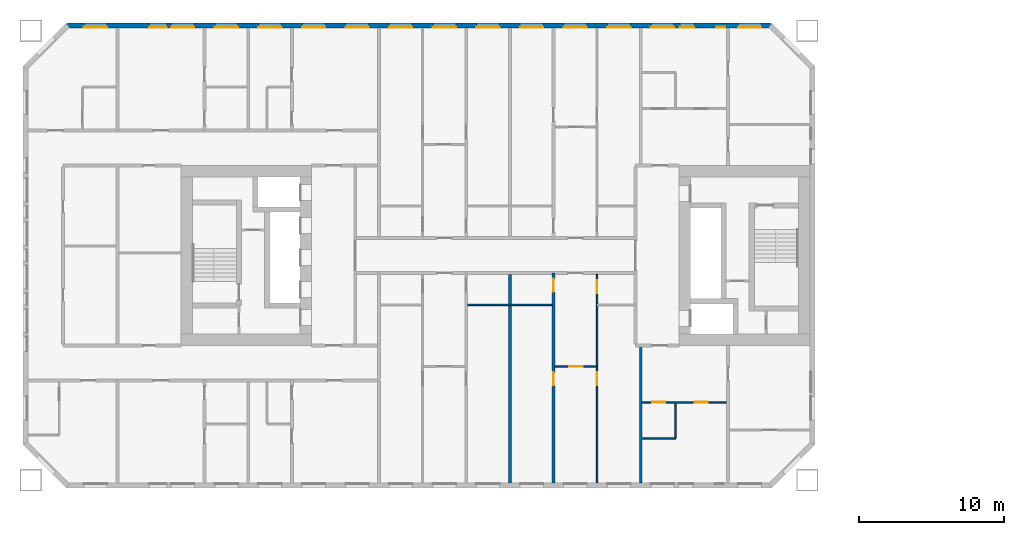
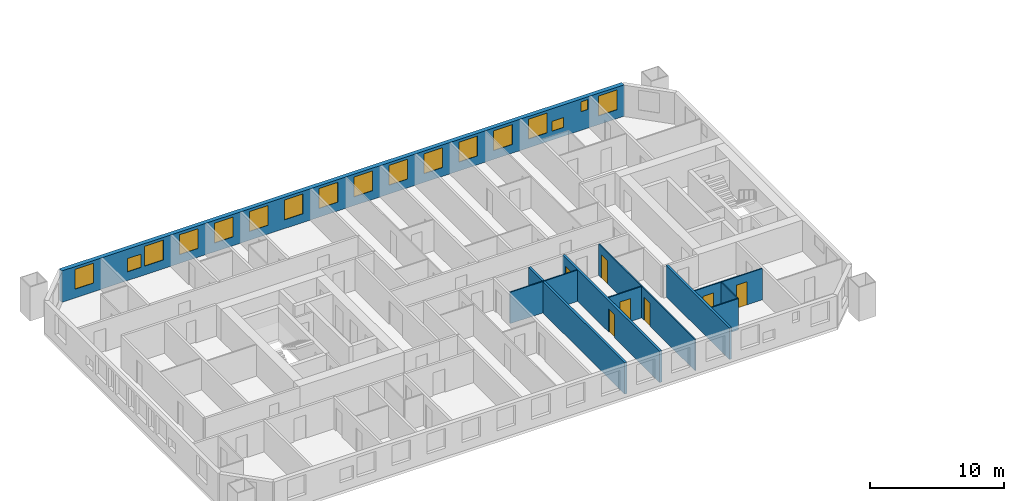
# One storey, part 6 of 17: 17 windows, 10 walls, 7 doors, 24 openings.
"""IFC4 building model written with IfcOpenShell, lengths in metres."""

from ifc_helpers import new_model, si_unit, direction, frame, frame_2d, origin, place, context, subcontext, project, spatial, rectangle, extrude, material, layer, layer_set, type_object, element, fill, save


model = new_model("IFC4")

# Units and contexts
model_context = context("Model", 3, precision=1e-05, world=origin(), true_north=direction((0.0, 1.0)))
body_context = subcontext(model_context, "Body", "Model", "MODEL_VIEW")
ifc_project = project(units=[si_unit("LENGTHUNIT", "METRE"), si_unit("AREAUNIT", "SQUARE_METRE"), si_unit("VOLUMEUNIT", "CUBIC_METRE"), si_unit("PLANEANGLEUNIT", "RADIAN"), si_unit("MASSUNIT", "GRAM", prefix="KILO")], contexts=[model_context])

# Site, building, storey
site_placement = place(None, origin())
site = spatial("IfcSite", under=ifc_project, at=site_placement, CompositionType="ELEMENT")
building_placement = place(site_placement, origin())
building = spatial("IfcBuilding", under=site, at=building_placement, Name="Tuart Gate Housing", CompositionType="ELEMENT")
storey_placement = place(building_placement, frame((0.0, 0.0, 47.39990234375)))
storey = spatial("IfcBuildingStorey", under=building, at=storey_placement, Name="L12", CompositionType="ELEMENT", Elevation=47.39990234375)

# Wall, openings, windows
ifc_material_1 = material(Name="Brick", Category="masonry")
ifc_layer_1 = layer(ifc_material_1, 0.360107421875)
ifc_layer_set_1 = layer_set([ifc_layer_1], Name="Brick pier and spandrel wall 360")
wall_type_1 = type_object("IfcWallType", Name="Brick pier and spandrel wall 360", PredefinedType="STANDARD", material=ifc_layer_set_1)
wall_1_placement = place(storey_placement, frame((72.92529296875, 85.820068359375, 0.0), z_axis=(0.0, 0.0, 1.0), x_axis=(-1.0, 0.0, 0.0)))
wall_1 = element("IfcWall", 1, at=wall_1_placement, inside=storey, type_object=wall_type_1, Name="External wall A-N L12", PredefinedType="STANDARD", context=body_context, shape_type="SweptSolid", body=[
    extrude(rectangle(XDim=48.350830078125, YDim=0.360107421875, at=frame_2d((24.17529296875, 0.0))), origin(), (0.0, 0.0, 1.0), 2.85009765625),
])
opening_1_placement = place(wall_1_placement, frame((0.62548828125, 0.0, 0.800048828125)))
opening_1 = element("IfcOpeningElement", 2, at=opening_1_placement, cuts=wall_1, Name="Opening W1", PredefinedType="OPENING", context=body_context, shape_type="SweptSolid", body=[
    extrude(rectangle(XDim=1.60009765625, YDim=1.800048828125, at=frame_2d((0.800048828125, 0.89990234375))), frame((0.0, 0.18994140625, 0.0), z_axis=(0.0, -1.0, 0.0), x_axis=(1.0, 0.0, 0.0)), (0.0, 0.0, 1.0), 0.380126953125),
])
opening_2_placement = place(wall_1_placement, frame((3.12548828125, 0.0, 1.699951171875)))
opening_2 = element("IfcOpeningElement", 3, at=opening_2_placement, cuts=wall_1, Name="Opening W1W", PredefinedType="OPENING", context=body_context, shape_type="SweptSolid", body=[
    extrude(rectangle(XDim=0.60009765625, YDim=0.89990234375, at=frame_2d((0.300048828125, 0.449951171875))), frame((0.0, 0.18994140625, 0.0), z_axis=(0.0, -1.0, 0.0), x_axis=(1.0, 0.0, 0.0)), (0.0, 0.0, 1.0), 0.380126953125),
])
opening_3_placement = place(wall_1_placement, frame((6.62548828125, 0.0, 0.800048828125)))
opening_3 = element("IfcOpeningElement", 4, at=opening_3_placement, cuts=wall_1, Name="Opening W1", PredefinedType="OPENING", context=body_context, shape_type="SweptSolid", body=[
    extrude(rectangle(XDim=1.60009765625, YDim=1.800048828125, at=frame_2d((0.800048828125, 0.89990234375))), frame((0.0, 0.18994140625, 0.0), z_axis=(0.0, -1.0, 0.0), x_axis=(1.0, 0.0, 0.0)), (0.0, 0.0, 1.0), 0.380126953125),
])
opening_4_placement = place(wall_1_placement, frame((9.62548828125, 0.0, 0.800048828125)))
opening_4 = element("IfcOpeningElement", 5, at=opening_4_placement, cuts=wall_1, Name="Opening W1", PredefinedType="OPENING", context=body_context, shape_type="SweptSolid", body=[
    extrude(rectangle(XDim=1.60009765625, YDim=1.800048828125, at=frame_2d((0.800048828125, 0.89990234375))), frame((0.0, 0.18994140625, 0.0), z_axis=(0.0, -1.0, 0.0), x_axis=(1.0, 0.0, 0.0)), (0.0, 0.0, 1.0), 0.380126953125),
])
opening_5_placement = place(wall_1_placement, frame((12.62548828125, 0.0, 0.800048828125)))
opening_5 = element("IfcOpeningElement", 6, at=opening_5_placement, cuts=wall_1, Name="Opening W1", PredefinedType="OPENING", context=body_context, shape_type="SweptSolid", body=[
    extrude(rectangle(XDim=1.60009765625, YDim=1.800048828125, at=frame_2d((0.800048828125, 0.89990234375))), frame((0.0, 0.18994140625, 0.0), z_axis=(0.0, -1.0, 0.0), x_axis=(1.0, 0.0, 0.0)), (0.0, 0.0, 1.0), 0.380126953125),
])
opening_6_placement = place(wall_1_placement, frame((15.62548828125, 0.0, 0.800048828125)))
opening_6 = element("IfcOpeningElement", 7, at=opening_6_placement, cuts=wall_1, Name="Opening W1", PredefinedType="OPENING", context=body_context, shape_type="SweptSolid", body=[
    extrude(rectangle(XDim=1.60009765625, YDim=1.800048828125, at=frame_2d((0.800048828125, 0.89990234375))), frame((0.0, 0.18994140625, 0.0), z_axis=(0.0, -1.0, 0.0), x_axis=(1.0, 0.0, 0.0)), (0.0, 0.0, 1.0), 0.380126953125),
])
opening_7_placement = place(wall_1_placement, frame((18.62548828125, 0.0, 0.800048828125)))
opening_7 = element("IfcOpeningElement", 8, at=opening_7_placement, cuts=wall_1, Name="Opening W1", PredefinedType="OPENING", context=body_context, shape_type="SweptSolid", body=[
    extrude(rectangle(XDim=1.60009765625, YDim=1.800048828125, at=frame_2d((0.800048828125, 0.89990234375))), frame((0.0, 0.18994140625, 0.0), z_axis=(0.0, -1.0, 0.0), x_axis=(1.0, 0.0, 0.0)), (0.0, 0.0, 1.0), 0.380126953125),
])
opening_8_placement = place(wall_1_placement, frame((21.62548828125, 0.0, 0.800048828125)))
opening_8 = element("IfcOpeningElement", 9, at=opening_8_placement, cuts=wall_1, Name="Opening W1", PredefinedType="OPENING", context=body_context, shape_type="SweptSolid", body=[
    extrude(rectangle(XDim=1.60009765625, YDim=1.800048828125, at=frame_2d((0.800048828125, 0.89990234375))), frame((0.0, 0.18994140625, 0.0), z_axis=(0.0, -1.0, 0.0), x_axis=(1.0, 0.0, 0.0)), (0.0, 0.0, 1.0), 0.380126953125),
])
opening_9_placement = place(wall_1_placement, frame((24.62548828125, 0.0, 0.800048828125)))
opening_9 = element("IfcOpeningElement", 10, at=opening_9_placement, cuts=wall_1, Name="Opening W1", PredefinedType="OPENING", context=body_context, shape_type="SweptSolid", body=[
    extrude(rectangle(XDim=1.60009765625, YDim=1.800048828125, at=frame_2d((0.800048828125, 0.89990234375))), frame((0.0, 0.18994140625, 0.0), z_axis=(0.0, -1.0, 0.0), x_axis=(1.0, 0.0, 0.0)), (0.0, 0.0, 1.0), 0.380126953125),
])
opening_10_placement = place(wall_1_placement, frame((27.62548828125, 0.0, 0.800048828125)))
opening_10 = element("IfcOpeningElement", 11, at=opening_10_placement, cuts=wall_1, Name="Opening W1", PredefinedType="OPENING", context=body_context, shape_type="SweptSolid", body=[
    extrude(rectangle(XDim=1.60009765625, YDim=1.800048828125, at=frame_2d((0.800048828125, 0.89990234375))), frame((0.0, 0.18994140625, 0.0), z_axis=(0.0, -1.0, 0.0), x_axis=(1.0, 0.0, 0.0)), (0.0, 0.0, 1.0), 0.380126953125),
])
opening_11_placement = place(wall_1_placement, frame((30.62548828125, 0.0, 0.800048828125)))
opening_11 = element("IfcOpeningElement", 12, at=opening_11_placement, cuts=wall_1, Name="Opening W1", PredefinedType="OPENING", context=body_context, shape_type="SweptSolid", body=[
    extrude(rectangle(XDim=1.60009765625, YDim=1.800048828125, at=frame_2d((0.800048828125, 0.89990234375))), frame((0.0, 0.18994140625, 0.0), z_axis=(0.0, -1.0, 0.0), x_axis=(1.0, 0.0, 0.0)), (0.0, 0.0, 1.0), 0.380126953125),
])
opening_12_placement = place(wall_1_placement, frame((33.62548828125, 0.0, 0.800048828125)))
opening_12 = element("IfcOpeningElement", 13, at=opening_12_placement, cuts=wall_1, Name="Opening W1", PredefinedType="OPENING", context=body_context, shape_type="SweptSolid", body=[
    extrude(rectangle(XDim=1.60009765625, YDim=1.800048828125, at=frame_2d((0.800048828125, 0.89990234375))), frame((0.0, 0.18994140625, 0.0), z_axis=(0.0, -1.0, 0.0), x_axis=(1.0, 0.0, 0.0)), (0.0, 0.0, 1.0), 0.380126953125),
])
opening_13_placement = place(wall_1_placement, frame((36.62548828125, 0.0, 0.800048828125)))
opening_13 = element("IfcOpeningElement", 14, at=opening_13_placement, cuts=wall_1, Name="Opening W1", PredefinedType="OPENING", context=body_context, shape_type="SweptSolid", body=[
    extrude(rectangle(XDim=1.60009765625, YDim=1.800048828125, at=frame_2d((0.800048828125, 0.89990234375))), frame((0.0, 0.18994140625, 0.0), z_axis=(0.0, -1.0, 0.0), x_axis=(1.0, 0.0, 0.0)), (0.0, 0.0, 1.0), 0.380126953125),
])
opening_14_placement = place(wall_1_placement, frame((39.62548828125, 0.0, 0.800048828125)))
opening_14 = element("IfcOpeningElement", 15, at=opening_14_placement, cuts=wall_1, Name="Opening W1", PredefinedType="OPENING", context=body_context, shape_type="SweptSolid", body=[
    extrude(rectangle(XDim=1.60009765625, YDim=1.800048828125, at=frame_2d((0.800048828125, 0.89990234375))), frame((0.0, 0.18994140625, 0.0), z_axis=(0.0, -1.0, 0.0), x_axis=(1.0, 0.0, 0.0)), (0.0, 0.0, 1.0), 0.380126953125),
])
opening_15_placement = place(wall_1_placement, frame((41.525390625, 0.0, 0.800048828125)))
opening_15 = element("IfcOpeningElement", 16, at=opening_15_placement, cuts=wall_1, Name="Opening W1N", PredefinedType="OPENING", context=body_context, shape_type="SweptSolid", body=[
    extrude(rectangle(XDim=1.199951171875, YDim=1.199951171875, at=frame_2d((0.60009765625, 0.60009765625))), frame((0.0, 0.18994140625, 0.0), z_axis=(0.0, -1.0, 0.0), x_axis=(1.0, 0.0, 0.0)), (0.0, 0.0, 1.0), 0.380126953125),
])
opening_16_placement = place(wall_1_placement, frame((45.62548828125, 0.0, 0.800048828125)))
opening_16 = element("IfcOpeningElement", 17, at=opening_16_placement, cuts=wall_1, Name="Opening W1", PredefinedType="OPENING", context=body_context, shape_type="SweptSolid", body=[
    extrude(rectangle(XDim=1.60009765625, YDim=1.800048828125, at=frame_2d((0.800048828125, 0.89990234375))), frame((0.0, 0.18994140625, 0.0), z_axis=(0.0, -1.0, 0.0), x_axis=(1.0, 0.0, 0.0)), (0.0, 0.0, 1.0), 0.380126953125),
])
opening_17_placement = place(wall_1_placement, frame((5.225341796875, 0.0, 0.800048828125)))
opening_17 = element("IfcOpeningElement", 18, at=opening_17_placement, cuts=wall_1, Name="Opening W1U", PredefinedType="OPENING", context=body_context, shape_type="SweptSolid", body=[
    extrude(rectangle(XDim=1.0, YDim=0.89990234375, at=frame_2d((0.5, 0.449951171875))), frame((0.0, 0.18994140625, 0.0), z_axis=(0.0, -1.0, 0.0), x_axis=(1.0, 0.0, 0.0)), (0.0, 0.0, 1.0), 0.380126953125),
])
ifc_material_2 = material(Name="Aluminium frame with clear glass", Category="aluminium")
window_type_1 = type_object("IfcWindowType", Name="Punched window 1000 x 900", PartitioningType="SINGLE_PANEL", PredefinedType="WINDOW", material=ifc_material_2)
window_1_placement = place(opening_17_placement, origin())
window_1 = element("IfcWindow", 19, at=window_1_placement, inside=storey, type_object=window_type_1, Name="Window W1U", OverallHeight=0.89990234375, OverallWidth=1.0, PartitioningType="SINGLE_PANEL", PredefinedType="WINDOW", context=body_context, shape_type="SweptSolid", body=[
    extrude(rectangle(XDim=1.0, YDim=0.89990234375, at=frame_2d((0.5, 0.449951171875))), frame((0.0, 0.150146484375, 0.0), z_axis=(0.0, -1.0, 0.0), x_axis=(1.0, 0.0, 0.0)), (0.0, 0.0, 1.0), 0.06005859375),
])
fill(opening_17, window_1)
ifc_material_3 = material(Name="Aluminium frame with clear glass", Category="aluminium")
window_type_2 = type_object("IfcWindowType", Name="Punched window 1200 x 1200", PartitioningType="SINGLE_PANEL", PredefinedType="WINDOW", material=ifc_material_3)
window_2_placement = place(opening_15_placement, origin())
window_2 = element("IfcWindow", 20, at=window_2_placement, inside=storey, type_object=window_type_2, Name="Window W1N", OverallHeight=1.199951171875, OverallWidth=1.199951171875, PartitioningType="SINGLE_PANEL", PredefinedType="WINDOW", context=body_context, shape_type="SweptSolid", body=[
    extrude(rectangle(XDim=1.199951171875, YDim=1.199951171875, at=frame_2d((0.60009765625, 0.60009765625))), frame((0.0, 0.150146484375, 0.0), z_axis=(0.0, -1.0, 0.0), x_axis=(1.0, 0.0, 0.0)), (0.0, 0.0, 1.0), 0.06005859375),
])
fill(opening_15, window_2)
ifc_material_4 = material(Name="Aluminium frame with clear glass", Category="aluminium")
window_type_3 = type_object("IfcWindowType", Name="Punched window 1600 x 1800", PartitioningType="SINGLE_PANEL", PredefinedType="WINDOW", material=ifc_material_4)
window_3_placement = place(opening_1_placement, origin())
window_3 = element("IfcWindow", 21, at=window_3_placement, inside=storey, type_object=window_type_3, Name="Window W1", OverallHeight=1.800048828125, OverallWidth=1.60009765625, PartitioningType="SINGLE_PANEL", PredefinedType="WINDOW", context=body_context, shape_type="SweptSolid", body=[
    extrude(rectangle(XDim=1.60009765625, YDim=1.800048828125, at=frame_2d((0.800048828125, 0.89990234375))), frame((0.0, 0.150146484375, 0.0), z_axis=(0.0, -1.0, 0.0), x_axis=(1.0, 0.0, 0.0)), (0.0, 0.0, 1.0), 0.06005859375),
])
fill(opening_1, window_3)
window_4_placement = place(opening_3_placement, origin())
window_4 = element("IfcWindow", 22, at=window_4_placement, inside=storey, type_object=window_type_3, Name="Window W1", OverallHeight=1.800048828125, OverallWidth=1.60009765625, PartitioningType="SINGLE_PANEL", PredefinedType="WINDOW", context=body_context, shape_type="SweptSolid", body=[
    extrude(rectangle(XDim=1.60009765625, YDim=1.800048828125, at=frame_2d((0.800048828125, 0.89990234375))), frame((0.0, 0.150146484375, 0.0), z_axis=(0.0, -1.0, 0.0), x_axis=(1.0, 0.0, 0.0)), (0.0, 0.0, 1.0), 0.06005859375),
])
fill(opening_3, window_4)
window_5_placement = place(opening_4_placement, origin())
window_5 = element("IfcWindow", 23, at=window_5_placement, inside=storey, type_object=window_type_3, Name="Window W1", OverallHeight=1.800048828125, OverallWidth=1.60009765625, PartitioningType="SINGLE_PANEL", PredefinedType="WINDOW", context=body_context, shape_type="SweptSolid", body=[
    extrude(rectangle(XDim=1.60009765625, YDim=1.800048828125, at=frame_2d((0.800048828125, 0.89990234375))), frame((0.0, 0.150146484375, 0.0), z_axis=(0.0, -1.0, 0.0), x_axis=(1.0, 0.0, 0.0)), (0.0, 0.0, 1.0), 0.06005859375),
])
fill(opening_4, window_5)
window_6_placement = place(opening_5_placement, origin())
window_6 = element("IfcWindow", 24, at=window_6_placement, inside=storey, type_object=window_type_3, Name="Window W1", OverallHeight=1.800048828125, OverallWidth=1.60009765625, PartitioningType="SINGLE_PANEL", PredefinedType="WINDOW", context=body_context, shape_type="SweptSolid", body=[
    extrude(rectangle(XDim=1.60009765625, YDim=1.800048828125, at=frame_2d((0.800048828125, 0.89990234375))), frame((0.0, 0.150146484375, 0.0), z_axis=(0.0, -1.0, 0.0), x_axis=(1.0, 0.0, 0.0)), (0.0, 0.0, 1.0), 0.06005859375),
])
fill(opening_5, window_6)
window_7_placement = place(opening_6_placement, origin())
window_7 = element("IfcWindow", 25, at=window_7_placement, inside=storey, type_object=window_type_3, Name="Window W1", OverallHeight=1.800048828125, OverallWidth=1.60009765625, PartitioningType="SINGLE_PANEL", PredefinedType="WINDOW", context=body_context, shape_type="SweptSolid", body=[
    extrude(rectangle(XDim=1.60009765625, YDim=1.800048828125, at=frame_2d((0.800048828125, 0.89990234375))), frame((0.0, 0.150146484375, 0.0), z_axis=(0.0, -1.0, 0.0), x_axis=(1.0, 0.0, 0.0)), (0.0, 0.0, 1.0), 0.06005859375),
])
fill(opening_6, window_7)
window_8_placement = place(opening_7_placement, origin())
window_8 = element("IfcWindow", 26, at=window_8_placement, inside=storey, type_object=window_type_3, Name="Window W1", OverallHeight=1.800048828125, OverallWidth=1.60009765625, PartitioningType="SINGLE_PANEL", PredefinedType="WINDOW", context=body_context, shape_type="SweptSolid", body=[
    extrude(rectangle(XDim=1.60009765625, YDim=1.800048828125, at=frame_2d((0.800048828125, 0.89990234375))), frame((0.0, 0.150146484375, 0.0), z_axis=(0.0, -1.0, 0.0), x_axis=(1.0, 0.0, 0.0)), (0.0, 0.0, 1.0), 0.06005859375),
])
fill(opening_7, window_8)
window_9_placement = place(opening_8_placement, origin())
window_9 = element("IfcWindow", 27, at=window_9_placement, inside=storey, type_object=window_type_3, Name="Window W1", OverallHeight=1.800048828125, OverallWidth=1.60009765625, PartitioningType="SINGLE_PANEL", PredefinedType="WINDOW", context=body_context, shape_type="SweptSolid", body=[
    extrude(rectangle(XDim=1.60009765625, YDim=1.800048828125, at=frame_2d((0.800048828125, 0.89990234375))), frame((0.0, 0.150146484375, 0.0), z_axis=(0.0, -1.0, 0.0), x_axis=(1.0, 0.0, 0.0)), (0.0, 0.0, 1.0), 0.06005859375),
])
fill(opening_8, window_9)
window_10_placement = place(opening_9_placement, origin())
window_10 = element("IfcWindow", 28, at=window_10_placement, inside=storey, type_object=window_type_3, Name="Window W1", OverallHeight=1.800048828125, OverallWidth=1.60009765625, PartitioningType="SINGLE_PANEL", PredefinedType="WINDOW", context=body_context, shape_type="SweptSolid", body=[
    extrude(rectangle(XDim=1.60009765625, YDim=1.800048828125, at=frame_2d((0.800048828125, 0.89990234375))), frame((0.0, 0.150146484375, 0.0), z_axis=(0.0, -1.0, 0.0), x_axis=(1.0, 0.0, 0.0)), (0.0, 0.0, 1.0), 0.06005859375),
])
fill(opening_9, window_10)
window_11_placement = place(opening_10_placement, origin())
window_11 = element("IfcWindow", 29, at=window_11_placement, inside=storey, type_object=window_type_3, Name="Window W1", OverallHeight=1.800048828125, OverallWidth=1.60009765625, PartitioningType="SINGLE_PANEL", PredefinedType="WINDOW", context=body_context, shape_type="SweptSolid", body=[
    extrude(rectangle(XDim=1.60009765625, YDim=1.800048828125, at=frame_2d((0.800048828125, 0.89990234375))), frame((0.0, 0.150146484375, 0.0), z_axis=(0.0, -1.0, 0.0), x_axis=(1.0, 0.0, 0.0)), (0.0, 0.0, 1.0), 0.06005859375),
])
fill(opening_10, window_11)
window_12_placement = place(opening_11_placement, origin())
window_12 = element("IfcWindow", 30, at=window_12_placement, inside=storey, type_object=window_type_3, Name="Window W1", OverallHeight=1.800048828125, OverallWidth=1.60009765625, PartitioningType="SINGLE_PANEL", PredefinedType="WINDOW", context=body_context, shape_type="SweptSolid", body=[
    extrude(rectangle(XDim=1.60009765625, YDim=1.800048828125, at=frame_2d((0.800048828125, 0.89990234375))), frame((0.0, 0.150146484375, 0.0), z_axis=(0.0, -1.0, 0.0), x_axis=(1.0, 0.0, 0.0)), (0.0, 0.0, 1.0), 0.06005859375),
])
fill(opening_11, window_12)
window_13_placement = place(opening_12_placement, origin())
window_13 = element("IfcWindow", 31, at=window_13_placement, inside=storey, type_object=window_type_3, Name="Window W1", OverallHeight=1.800048828125, OverallWidth=1.60009765625, PartitioningType="SINGLE_PANEL", PredefinedType="WINDOW", context=body_context, shape_type="SweptSolid", body=[
    extrude(rectangle(XDim=1.60009765625, YDim=1.800048828125, at=frame_2d((0.800048828125, 0.89990234375))), frame((0.0, 0.150146484375, 0.0), z_axis=(0.0, -1.0, 0.0), x_axis=(1.0, 0.0, 0.0)), (0.0, 0.0, 1.0), 0.06005859375),
])
fill(opening_12, window_13)
window_14_placement = place(opening_13_placement, origin())
window_14 = element("IfcWindow", 32, at=window_14_placement, inside=storey, type_object=window_type_3, Name="Window W1", OverallHeight=1.800048828125, OverallWidth=1.60009765625, PartitioningType="SINGLE_PANEL", PredefinedType="WINDOW", context=body_context, shape_type="SweptSolid", body=[
    extrude(rectangle(XDim=1.60009765625, YDim=1.800048828125, at=frame_2d((0.800048828125, 0.89990234375))), frame((0.0, 0.150146484375, 0.0), z_axis=(0.0, -1.0, 0.0), x_axis=(1.0, 0.0, 0.0)), (0.0, 0.0, 1.0), 0.06005859375),
])
fill(opening_13, window_14)
window_15_placement = place(opening_14_placement, origin())
window_15 = element("IfcWindow", 33, at=window_15_placement, inside=storey, type_object=window_type_3, Name="Window W1", OverallHeight=1.800048828125, OverallWidth=1.60009765625, PartitioningType="SINGLE_PANEL", PredefinedType="WINDOW", context=body_context, shape_type="SweptSolid", body=[
    extrude(rectangle(XDim=1.60009765625, YDim=1.800048828125, at=frame_2d((0.800048828125, 0.89990234375))), frame((0.0, 0.150146484375, 0.0), z_axis=(0.0, -1.0, 0.0), x_axis=(1.0, 0.0, 0.0)), (0.0, 0.0, 1.0), 0.06005859375),
])
fill(opening_14, window_15)
window_16_placement = place(opening_16_placement, origin())
window_16 = element("IfcWindow", 34, at=window_16_placement, inside=storey, type_object=window_type_3, Name="Window W1", OverallHeight=1.800048828125, OverallWidth=1.60009765625, PartitioningType="SINGLE_PANEL", PredefinedType="WINDOW", context=body_context, shape_type="SweptSolid", body=[
    extrude(rectangle(XDim=1.60009765625, YDim=1.800048828125, at=frame_2d((0.800048828125, 0.89990234375))), frame((0.0, 0.150146484375, 0.0), z_axis=(0.0, -1.0, 0.0), x_axis=(1.0, 0.0, 0.0)), (0.0, 0.0, 1.0), 0.06005859375),
])
fill(opening_16, window_16)
ifc_material_5 = material(Name="Aluminium frame with clear glass", Category="aluminium")
window_type_4 = type_object("IfcWindowType", Name="Punched window 600 x 900", PartitioningType="SINGLE_PANEL", PredefinedType="WINDOW", material=ifc_material_5)
window_17_placement = place(opening_2_placement, origin())
window_17 = element("IfcWindow", 35, at=window_17_placement, inside=storey, type_object=window_type_4, Name="Window W1W", OverallHeight=0.89990234375, OverallWidth=0.60009765625, PartitioningType="SINGLE_PANEL", PredefinedType="WINDOW", context=body_context, shape_type="SweptSolid", body=[
    extrude(rectangle(XDim=0.60009765625, YDim=0.89990234375, at=frame_2d((0.300048828125, 0.449951171875))), frame((0.0, 0.150146484375, 0.0), z_axis=(0.0, -1.0, 0.0), x_axis=(1.0, 0.0, 0.0)), (0.0, 0.0, 1.0), 0.06005859375),
])
fill(opening_2, window_17)

# Wall
ifc_material_6 = material(Name="Gypsum board on steel studs", Category="steel")
ifc_layer_2 = layer(ifc_material_6, 0.10009765625)
ifc_layer_set_2 = layer_set([ifc_layer_2], Name="Partition 100")
wall_type_2 = type_object("IfcWallType", Name="Partition 100", PredefinedType="PARTITIONING", material=ifc_layer_set_2)
wall_2_placement = place(storey_placement, frame((64.10009765625, 57.39990234375, 0.0), z_axis=(0.0, 0.0, 1.0), x_axis=(1.0, 0.0, 0.0)))
element("IfcWall", 36, at=wall_2_placement, inside=storey, type_object=wall_type_2, Name="Partition 100", PredefinedType="PARTITIONING", context=body_context, shape_type="SweptSolid", body=[
    extrude(rectangle(XDim=2.2998046875, YDim=0.10009765625, at=frame_2d((1.14990234375, 0.0))), origin(), (0.0, 0.0, 1.0), 2.85009765625),
])

# Wall, openings, doors
wall_3_placement = place(storey_placement, frame((64.10009765625, 59.89990234375, 0.0), z_axis=(0.0, 0.0, 1.0), x_axis=(1.0, 0.0, 0.0)))
wall_3 = element("IfcWall", 37, at=wall_3_placement, inside=storey, type_object=wall_type_2, Name="Partition 100", PredefinedType="PARTITIONING", context=body_context, shape_type="SweptSolid", body=[
    extrude(rectangle(XDim=5.7998046875, YDim=0.10009765625, at=frame_2d((2.89990234375, 0.0))), origin(), (0.0, 0.0, 1.0), 2.85009765625),
])
opening_18_placement = place(wall_3_placement, frame((3.60009765625, 0.0, 0.0)))
opening_18 = element("IfcOpeningElement", 38, at=opening_18_placement, cuts=wall_3, Name="Opening D648", PredefinedType="OPENING", context=body_context, shape_type="SweptSolid", body=[
    extrude(rectangle(XDim=0.89990234375, YDim=2.10009765625, at=frame_2d((0.449951171875, 1.050048828125))), frame((0.0, 0.06005859375, 0.0), z_axis=(0.0, -1.0, 0.0), x_axis=(1.0, 0.0, 0.0)), (0.0, 0.0, 1.0), 0.1201171875),
])
opening_19_placement = place(wall_3_placement, frame((0.699951171875, 0.0, 0.0)))
opening_19 = element("IfcOpeningElement", 39, at=opening_19_placement, cuts=wall_3, Name="Opening D647", PredefinedType="OPENING", context=body_context, shape_type="SweptSolid", body=[
    extrude(rectangle(XDim=0.89990234375, YDim=2.10009765625, at=frame_2d((0.449951171875, 1.050048828125))), frame((0.0, 0.06005859375, 0.0), z_axis=(0.0, -1.0, 0.0), x_axis=(1.0, 0.0, 0.0)), (0.0, 0.0, 1.0), 0.1201171875),
])
ifc_material_7 = material(Name="Timber door leaf in steel frame", Category="steel")
door_type_1 = type_object("IfcDoorType", Name="Bathroom door 900", OperationType="SINGLE_SWING_LEFT", PredefinedType="DOOR", material=ifc_material_7)
door_1_placement = place(opening_19_placement, frame((0.89990234375, 0.0, 0.0), z_axis=(0.0, 0.0, 1.0), x_axis=(-1.0, 0.0, 0.0)))
door_1 = element("IfcDoor", 40, at=door_1_placement, inside=storey, type_object=door_type_1, Name="Bathroom door", OperationType="SINGLE_SWING_LEFT", OverallHeight=2.10009765625, OverallWidth=0.89990234375, PredefinedType="DOOR", context=body_context, shape_type="SweptSolid", body=[
    extrude(rectangle(XDim=0.89990234375, YDim=2.10009765625, at=frame_2d((0.449951171875, 1.050048828125))), frame((0.0, 0.025146484375, 0.0), z_axis=(0.0, -1.0, 0.0), x_axis=(1.0, 0.0, 0.0)), (0.0, 0.0, 1.0), 0.050048828125),
])
fill(opening_19, door_1)
ifc_material_8 = material(Name="Timber door leaf in steel frame", Category="steel")
door_type_2 = type_object("IfcDoorType", Name="Internal door 900 RH", OperationType="SINGLE_SWING_RIGHT", PredefinedType="DOOR", material=ifc_material_8)
door_2_placement = place(opening_18_placement, frame((0.89990234375, 0.0, 0.0), z_axis=(0.0, 0.0, 1.0), x_axis=(-1.0, 0.0, 0.0)))
door_2 = element("IfcDoor", 41, at=door_2_placement, inside=storey, type_object=door_type_2, Name="Internal door", OperationType="SINGLE_SWING_RIGHT", OverallHeight=2.10009765625, OverallWidth=0.89990234375, PredefinedType="DOOR", context=body_context, shape_type="SweptSolid", body=[
    extrude(rectangle(XDim=0.89990234375, YDim=2.10009765625, at=frame_2d((0.449951171875, 1.050048828125))), frame((0.0, 0.025146484375, 0.0), z_axis=(0.0, -1.0, 0.0), x_axis=(1.0, 0.0, 0.0)), (0.0, 0.0, 1.0), 0.050048828125),
])
fill(opening_18, door_2)

# Wall, opening, door
wall_4_placement = place(storey_placement, frame((58.10009765625, 62.360107421875, 0.0), z_axis=(0.0, 0.0, 1.0), x_axis=(1.0, 0.0, 0.0)))
wall_4 = element("IfcWall", 42, at=wall_4_placement, inside=storey, type_object=wall_type_2, Name="Partition 100", PredefinedType="PARTITIONING", context=body_context, shape_type="SweptSolid", body=[
    extrude(rectangle(XDim=2.89990234375, YDim=0.10009765625, at=frame_2d((1.449951171875, 0.0))), origin(), (0.0, 0.0, 1.0), 2.85009765625),
])
opening_20_placement = place(wall_4_placement, frame((1.0, 0.0, 0.0)))
opening_20 = element("IfcOpeningElement", 43, at=opening_20_placement, cuts=wall_4, Name="Opening D635", PredefinedType="OPENING", context=body_context, shape_type="SweptSolid", body=[
    extrude(rectangle(XDim=0.89990234375, YDim=2.10009765625, at=frame_2d((0.449951171875, 1.050048828125))), frame((0.0, 0.06005859375, 0.0), z_axis=(0.0, -1.0, 0.0), x_axis=(1.0, 0.0, 0.0)), (0.0, 0.0, 1.0), 0.1201171875),
])
door_3_placement = place(opening_20_placement, origin())
door_3 = element("IfcDoor", 44, at=door_3_placement, inside=storey, type_object=door_type_2, Name="Internal door", OperationType="SINGLE_SWING_RIGHT", OverallHeight=2.10009765625, OverallWidth=0.89990234375, PredefinedType="DOOR", context=body_context, shape_type="SweptSolid", body=[
    extrude(rectangle(XDim=0.89990234375, YDim=2.10009765625, at=frame_2d((0.449951171875, 1.050048828125))), frame((0.0, 0.02490234375, 0.0), z_axis=(0.0, -1.0, 0.0), x_axis=(1.0, 0.0, 0.0)), (0.0, 0.0, 1.0), 0.050048828125),
])
fill(opening_20, door_3)

# Wall
wall_5_placement = place(storey_placement, frame((52.10009765625, 66.60009765625, 0.0), z_axis=(0.0, 0.0, 1.0), x_axis=(1.0, 0.0, 0.0)))
element("IfcWall", 45, at=wall_5_placement, inside=storey, type_object=wall_type_2, Name="Partition 100", PredefinedType="PARTITIONING", context=body_context, shape_type="SweptSolid", body=[
    extrude(rectangle(XDim=5.7998046875, YDim=0.10009765625, at=frame_2d((2.89990234375, 0.0))), origin(), (0.0, 0.0, 1.0), 2.85009765625),
])

# Wall, openings, doors
wall_6_placement = place(storey_placement, frame((61.0, 54.360107421875, 0.0), z_axis=(0.0, 0.0, 1.0), x_axis=(0.0, 1.0, 0.0)))
wall_6 = element("IfcWall", 46, at=wall_6_placement, inside=storey, type_object=wall_type_2, Name="Partition 100", PredefinedType="PARTITIONING", context=body_context, shape_type="SweptSolid", body=[
    extrude(rectangle(XDim=14.33984375, YDim=0.10009765625, at=frame_2d((7.169921875, 0.0))), origin(), (0.0, 0.0, 1.0), 2.85009765625),
])
opening_21_placement = place(wall_6_placement, frame((6.699951171875, 0.0, 0.0)))
opening_21 = element("IfcOpeningElement", 47, at=opening_21_placement, cuts=wall_6, Name="Opening D643", PredefinedType="OPENING", context=body_context, shape_type="SweptSolid", body=[
    extrude(rectangle(XDim=0.89990234375, YDim=2.10009765625, at=frame_2d((0.449951171875, 1.050048828125))), frame((0.0, 0.06005859375, 0.0), z_axis=(0.0, -1.0, 0.0), x_axis=(1.0, 0.0, 0.0)), (0.0, 0.0, 1.0), 0.1201171875),
])
opening_22_placement = place(wall_6_placement, frame((13.0400390625, 0.0, 0.0)))
opening_22 = element("IfcOpeningElement", 48, at=opening_22_placement, cuts=wall_6, Name="Opening D642", PredefinedType="OPENING", context=body_context, shape_type="SweptSolid", body=[
    extrude(rectangle(XDim=0.89990234375, YDim=2.10009765625, at=frame_2d((0.449951171875, 1.050048828125))), frame((0.0, 0.06005859375, 0.0), z_axis=(0.0, -1.0, 0.0), x_axis=(1.0, 0.0, 0.0)), (0.0, 0.0, 1.0), 0.1201171875),
])
door_4_placement = place(opening_22_placement, frame((0.89990234375, 0.0, 0.0), z_axis=(0.0, 0.0, 1.0), x_axis=(-1.0, 0.0, 0.0)))
door_4 = element("IfcDoor", 49, at=door_4_placement, inside=storey, type_object=door_type_1, Name="Bathroom door", OperationType="SINGLE_SWING_LEFT", OverallHeight=2.10009765625, OverallWidth=0.89990234375, PredefinedType="DOOR", context=body_context, shape_type="SweptSolid", body=[
    extrude(rectangle(XDim=0.89990234375, YDim=2.10009765625, at=frame_2d((0.449951171875, 1.050048828125))), frame((0.0, 0.025146484375, 0.0), z_axis=(0.0, -1.0, 0.0), x_axis=(1.0, 0.0, 0.0)), (0.0, 0.0, 1.0), 0.050048828125),
])
fill(opening_22, door_4)
ifc_material_9 = material(Name="Timber door leaf in steel frame", Category="steel")
door_type_3 = type_object("IfcDoorType", Name="Internal door 900", OperationType="SINGLE_SWING_LEFT", PredefinedType="DOOR", material=ifc_material_9)
door_5_placement = place(opening_21_placement, frame((0.89990234375, 0.0, 0.0), z_axis=(0.0, 0.0, 1.0), x_axis=(-1.0, 0.0, 0.0)))
door_5 = element("IfcDoor", 50, at=door_5_placement, inside=storey, type_object=door_type_3, Name="Internal door", OperationType="SINGLE_SWING_LEFT", OverallHeight=2.10009765625, OverallWidth=0.89990234375, PredefinedType="DOOR", context=body_context, shape_type="SweptSolid", body=[
    extrude(rectangle(XDim=0.89990234375, YDim=2.10009765625, at=frame_2d((0.449951171875, 1.050048828125))), frame((0.0, 0.025146484375, 0.0), z_axis=(0.0, -1.0, 0.0), x_axis=(1.0, 0.0, 0.0)), (0.0, 0.0, 1.0), 0.050048828125),
])
fill(opening_21, door_5)

# Wall
wall_7_placement = place(storey_placement, frame((66.39990234375, 57.449951171875, 0.0), z_axis=(0.0, 0.0, 1.0), x_axis=(0.0, 1.0, 0.0)))
element("IfcWall", 51, at=wall_7_placement, inside=storey, type_object=wall_type_2, Name="Partition 100", PredefinedType="PARTITIONING", context=body_context, shape_type="SweptSolid", body=[
    extrude(rectangle(XDim=2.400146484375, YDim=0.10009765625, at=frame_2d((1.2001953125, 0.0))), origin(), (0.0, 0.0, 1.0), 2.85009765625),
])

# Wall, openings, doors
ifc_material_10 = material(Name="Concrete C40", Category="concrete")
ifc_layer_3 = layer(ifc_material_10, 0.199951171875)
ifc_layer_set_3 = layer_set([ifc_layer_3], Name="Party wall concrete C40 200")
wall_type_3 = type_object("IfcWallType", Name="Party wall concrete C40 200", PredefinedType="SOLIDWALL", material=ifc_layer_set_3)
wall_8_placement = place(storey_placement, frame((58.0, 54.360107421875, 0.0), z_axis=(0.0, 0.0, 1.0), x_axis=(0.0, 1.0, 0.0)))
wall_8 = element("IfcWall", 52, at=wall_8_placement, inside=storey, type_object=wall_type_3, Name="Party wall concrete C40 200", PredefinedType="SOLIDWALL", context=body_context, shape_type="SweptSolid", body=[
    extrude(rectangle(XDim=14.43994140625, YDim=0.199951171875, at=frame_2d((7.219970703125, 0.0))), origin(), (0.0, 0.0, 1.0), 2.85009765625),
])
opening_23_placement = place(wall_8_placement, frame((6.699951171875, 0.0, 0.0)))
opening_23 = element("IfcOpeningElement", 53, at=opening_23_placement, cuts=wall_8, Name="Opening D639", PredefinedType="OPENING", context=body_context, shape_type="SweptSolid", body=[
    extrude(rectangle(XDim=0.89990234375, YDim=2.10009765625, at=frame_2d((0.449951171875, 1.050048828125))), frame((0.0, 0.10986328125, 0.0), z_axis=(0.0, -1.0, 0.0), x_axis=(1.0, 0.0, 0.0)), (0.0, 0.0, 1.0), 0.219970703125),
])
opening_24_placement = place(wall_8_placement, frame((13.139892578125, 0.0, 0.0)))
opening_24 = element("IfcOpeningElement", 54, at=opening_24_placement, cuts=wall_8, Name="Opening D638", PredefinedType="OPENING", context=body_context, shape_type="SweptSolid", body=[
    extrude(rectangle(XDim=0.89990234375, YDim=2.10009765625, at=frame_2d((0.449951171875, 1.050048828125))), frame((0.0, 0.10986328125, 0.0), z_axis=(0.0, -1.0, 0.0), x_axis=(1.0, 0.0, 0.0)), (0.0, 0.0, 1.0), 0.219970703125),
])
ifc_material_11 = material(Name="Timber door leaf in steel frame", Category="steel")
door_type_4 = type_object("IfcDoorType", Name="Bathroom door 900 RH", OperationType="SINGLE_SWING_RIGHT", PredefinedType="DOOR", material=ifc_material_11)
door_6_placement = place(opening_24_placement, origin())
door_6 = element("IfcDoor", 55, at=door_6_placement, inside=storey, type_object=door_type_4, Name="Bathroom door", OperationType="SINGLE_SWING_RIGHT", OverallHeight=2.10009765625, OverallWidth=0.89990234375, PredefinedType="DOOR", context=body_context, shape_type="SweptSolid", body=[
    extrude(rectangle(XDim=0.89990234375, YDim=2.10009765625, at=frame_2d((0.449951171875, 1.050048828125))), frame((0.0, 0.02490234375, 0.0), z_axis=(0.0, -1.0, 0.0), x_axis=(1.0, 0.0, 0.0)), (0.0, 0.0, 1.0), 0.050048828125),
])
fill(opening_24, door_6)
door_7_placement = place(opening_23_placement, origin())
door_7 = element("IfcDoor", 56, at=door_7_placement, inside=storey, type_object=door_type_2, Name="Internal door", OperationType="SINGLE_SWING_RIGHT", OverallHeight=2.10009765625, OverallWidth=0.89990234375, PredefinedType="DOOR", context=body_context, shape_type="SweptSolid", body=[
    extrude(rectangle(XDim=0.89990234375, YDim=2.10009765625, at=frame_2d((0.449951171875, 1.050048828125))), frame((0.0, 0.02490234375, 0.0), z_axis=(0.0, -1.0, 0.0), x_axis=(1.0, 0.0, 0.0)), (0.0, 0.0, 1.0), 0.050048828125),
])
fill(opening_23, door_7)

# Walls
wall_9_placement = place(storey_placement, frame((64.0, 54.360107421875, 0.0), z_axis=(0.0, 0.0, 1.0), x_axis=(0.0, 1.0, 0.0)))
element("IfcWall", 57, at=wall_9_placement, inside=storey, type_object=wall_type_3, Name="Party wall concrete C40 200", PredefinedType="SOLIDWALL", context=body_context, shape_type="SweptSolid", body=[
    extrude(rectangle(XDim=9.43994140625, YDim=0.199951171875, at=frame_2d((4.719970703125, 0.0))), origin(), (0.0, 0.0, 1.0), 2.85009765625),
])
ifc_material_12 = material(Name="Concrete masonry 15 MPa", Category="masonry")
ifc_layer_4 = layer(ifc_material_12, 0.199951171875)
ifc_layer_set_4 = layer_set([ifc_layer_4], Name="Party wall masonry 200")
wall_type_4 = type_object("IfcWallType", Name="Party wall masonry 200", PredefinedType="PARTITIONING", material=ifc_layer_set_4)
wall_10_placement = place(storey_placement, frame((55.0, 54.360107421875, 0.0), z_axis=(0.0, 0.0, 1.0), x_axis=(0.0, 1.0, 0.0)))
element("IfcWall", 58, at=wall_10_placement, inside=storey, type_object=wall_type_4, Name="Party wall masonry 200", PredefinedType="PARTITIONING", context=body_context, shape_type="SweptSolid", body=[
    extrude(rectangle(XDim=14.33984375, YDim=0.199951171875, at=frame_2d((7.169921875, 0.0))), origin(), (0.0, 0.0, 1.0), 2.85009765625),
])

save(model, "model.ifc")
